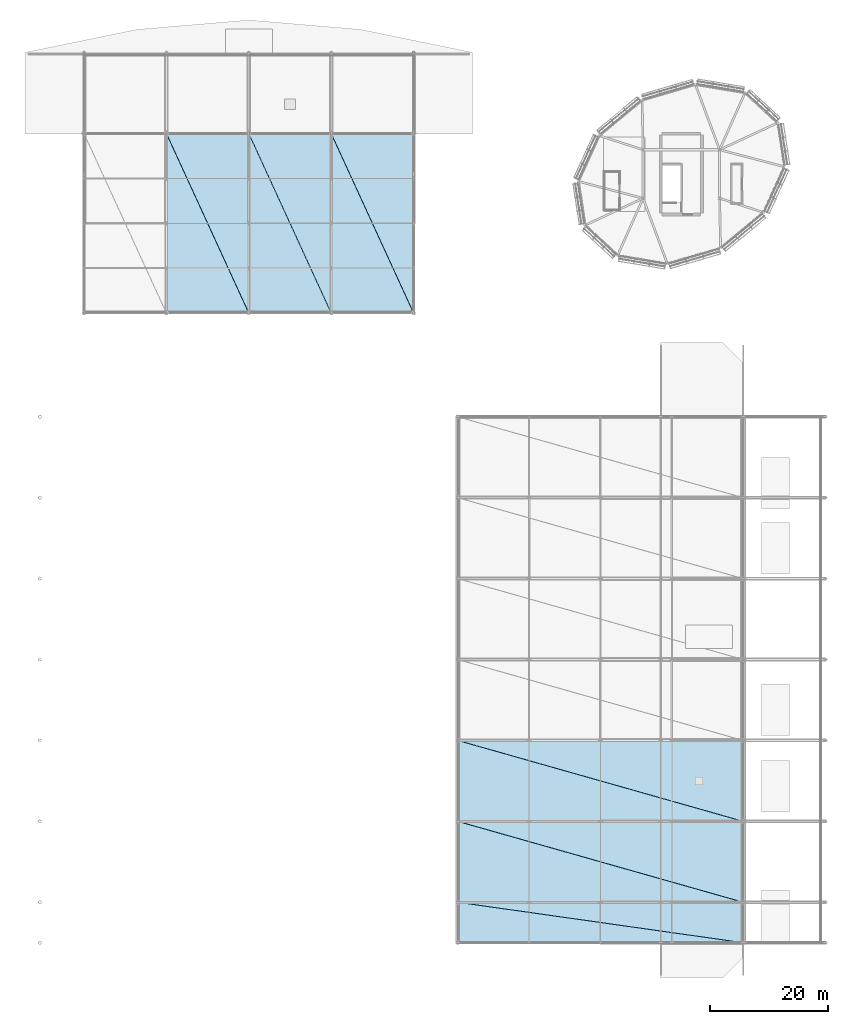
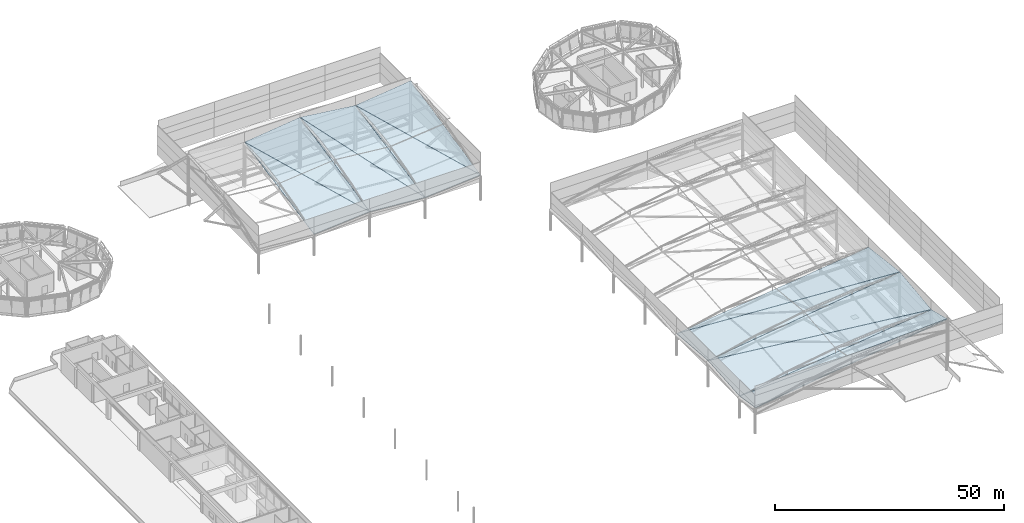
# One storey, part 68 of 113: 12 slabs.
"""IFC4 building model written with IfcOpenShell, lengths in metres."""

import ifcopenshell
import ifcopenshell.guid

model = None  # the IFC model being written
_history = None  # IfcOwnerHistory: only IFC2X3 demands one
_inside = {}  # id of a spatial element -> (the spatial element, [elements in it])
_under = {}  # id of a project, library or spatial element -> (it, [spatial elements below it])
_declared = {}  # id of a project -> (the project, [libraries it declares])
_typed = {}  # id of a type object -> (the type object, [elements of that type])
_made_of = {}  # id of a material, layer set ... -> (it, [elements and type objects made of it])


def new_model(schema):
    """Start an empty IFC model of exactly this schema.

    Asked for "IFC4X3", IfcOpenShell would pick the latest addendum, in which some entities
    have other attributes; the version numbers below select the first issue.
    IFC2X3 requires an IfcOwnerHistory on every rooted entity: one is made here for all.
    """
    global model, _history
    if schema == "IFC4X3":
        model = ifcopenshell.file(schema_version=(4, 3, 0, 0))
    else:
        model = ifcopenshell.file(schema=schema)
    _inside.clear()
    _under.clear()
    _declared.clear()
    _typed.clear()
    _made_of.clear()
    _history = None
    if model.schema == "IFC2X3":
        org = make("IfcOrganization", Name="unknown")
        user = make(
            "IfcPersonAndOrganization",
            ThePerson=make("IfcPerson", FamilyName="unknown"),
            TheOrganization=org,
        )
        app = make(
            "IfcApplication",
            ApplicationDeveloper=org,
            Version="unknown",
            ApplicationFullName="unknown",
            ApplicationIdentifier="unknown",
        )
        _history = make(
            "IfcOwnerHistory",
            OwningUser=user,
            OwningApplication=app,
            ChangeAction="ADDED",
            CreationDate=0,
        )
    return model


def make(cls, **values):
    """One entity of the class cls with the attributes given. An attribute that is None is left unset."""
    return model.create_entity(
        cls, **{name: value for name, value in values.items() if value is not None}
    )


def rooted(cls, **values):
    """An entity with a GlobalId (a new one), such as an element, a storey or a relation."""
    return make(cls, GlobalId=ifcopenshell.guid.new(), OwnerHistory=_history, **values)


def si_unit(unit_type, name, prefix=None):
    """IfcSIUnit, for example si_unit("LENGTHUNIT", "METRE", prefix="MILLI")."""
    return make("IfcSIUnit", UnitType=unit_type, Prefix=prefix, Name=name)


def assignment(units):
    """IfcUnitAssignment: the units of a project."""
    return None if units is None else make("IfcUnitAssignment", Units=units)


def point(xyz):
    """IfcCartesianPoint."""
    return None if xyz is None else make("IfcCartesianPoint", Coordinates=xyz)


def direction(xyz):
    """IfcDirection."""
    return None if xyz is None else make("IfcDirection", DirectionRatios=xyz)


def frame(location, z_axis=None, x_axis=None):
    """IfcAxis2Placement3D, a coordinate frame: its origin and axes. An axis left out is left unset."""
    return make(
        "IfcAxis2Placement3D",
        Location=point(location),
        Axis=direction(z_axis),
        RefDirection=direction(x_axis),
    )


def origin():
    """The frame at (0, 0, 0) with its axes left unset."""
    return frame((0.0, 0.0, 0.0))


def place(relative_to, where):
    """IfcLocalPlacement: puts the frame where relative to a parent placement (None: the world)."""
    return make(
        "IfcLocalPlacement", PlacementRelTo=relative_to, RelativePlacement=where
    )


def context(
    kind, dimensions, precision=None, world=None, true_north=None, identifier=None
):
    """IfcGeometricRepresentationContext, for example the 3D "Model" context."""
    return make(
        "IfcGeometricRepresentationContext",
        ContextIdentifier=identifier,
        ContextType=kind,
        CoordinateSpaceDimension=dimensions,
        Precision=precision,
        WorldCoordinateSystem=world,
        TrueNorth=true_north,
    )


def subcontext(parent, identifier, kind, view, scale=None):
    """IfcGeometricRepresentationSubContext, for example "Body" below "Model"."""
    return make(
        "IfcGeometricRepresentationSubContext",
        ContextIdentifier=identifier,
        ContextType=kind,
        ParentContext=parent,
        TargetScale=scale,
        TargetView=view,
    )


def project(units=None, contexts=None):
    """IfcProject with its units and contexts."""
    return rooted(
        "IfcProject",
        Name="project",
        RepresentationContexts=contexts,
        UnitsInContext=assignment(units),
    )


def spatial(cls, under=None, at=None, **own):
    """A site, building, storey or space (cls), placed at a placement, below another one or the project."""
    s = rooted(cls, ObjectPlacement=at, **own)
    if under is not None:
        _under.setdefault(under.id(), (under, []))[1].append(s)
    return s


def polyline(points):
    """IfcPolyline through the points."""
    return make("IfcPolyline", Points=[point(p) for p in points])


def outline(outer, holes=None, kind="AREA"):
    """IfcArbitraryClosedProfileDef: a profile drawn as a closed curve; with holes, ...WithVoids."""
    if holes is None:
        return make("IfcArbitraryClosedProfileDef", ProfileType=kind, OuterCurve=outer)
    return make(
        "IfcArbitraryProfileDefWithVoids",
        ProfileType=kind,
        OuterCurve=outer,
        InnerCurves=holes,
    )


def extrude(swept, where, along, depth):
    """IfcExtrudedAreaSolid: the profile swept, set in the frame where, extruded along a direction by depth."""
    return make(
        "IfcExtrudedAreaSolid",
        SweptArea=swept,
        Position=where,
        ExtrudedDirection=direction(along),
        Depth=depth,
    )


def shape(context_of_items, identifier, shape_type, items):
    """IfcShapeRepresentation: the items that make up one representation, for example the "Body"."""
    return make(
        "IfcShapeRepresentation",
        ContextOfItems=context_of_items,
        RepresentationIdentifier=identifier,
        RepresentationType=shape_type,
        Items=items,
    )


def material(Name=None, Category=None):
    """IfcMaterial."""
    return make("IfcMaterial", Name=Name, Category=Category)


def layer(
    of_material, thickness, ventilated=None, Name=None, Category=None, Priority=None
):
    """IfcMaterialLayer: one layer of a wall or slab, of a material (None: an air gap)."""
    return make(
        "IfcMaterialLayer",
        Material=of_material,
        LayerThickness=thickness,
        IsVentilated=ventilated,
        Name=Name,
        Category=Category,
        Priority=Priority,
    )


def layer_set(layers, Name=None):
    """IfcMaterialLayerSet."""
    return make("IfcMaterialLayerSet", MaterialLayers=layers, LayerSetName=Name)


def made_of(thing, what):
    """Note that an element or type object is made of a material, layer set ...; save() writes the relation."""
    if what is not None:
        _made_of.setdefault(what.id(), (what, []))[1].append(thing)
    return thing


def type_object(cls, material=None, **own):
    """A type object (cls), such as IfcWallType, which elements share."""
    return made_of(rooted(cls, **own), material)


def element(
    cls,
    number,
    at=None,
    inside=None,
    cuts=None,
    type_object=None,
    material=None,
    context=None,
    identifier="Body",
    shape_type=None,
    held_by="IfcProductDefinitionShape",
    body=None,
    shapes=None,
    **own,
):
    """One element of the class cls, such as IfcWall. Its Tag is "e" and its number.

    at: its placement. inside: the storey or other place that contains it. cuts: it is an
    opening in that element (IfcRelVoidsElement). A single representation is given by context,
    identifier, shape_type and body (its items); several are given by shapes. held_by: the class
    of the entity that holds the representations. save() writes the other relations.
    """
    e = rooted(cls, Tag="e%d" % number, ObjectPlacement=at, **own)
    if body is not None:
        shapes = [shape(context, identifier, shape_type, body)]
    if shapes is not None:
        e.Representation = make(held_by, Representations=shapes)
    if inside is not None:
        _inside.setdefault(inside.id(), (inside, []))[1].append(e)
    if cuts is not None:
        rooted(
            "IfcRelVoidsElement", RelatingBuildingElement=cuts, RelatedOpeningElement=e
        )
    if type_object is not None:
        _typed.setdefault(type_object.id(), (type_object, []))[1].append(e)
    return made_of(e, material)


def aggregate(whole, parts):
    """IfcRelAggregates: a whole, such as a stair, and the parts it consists of."""
    return rooted("IfcRelAggregates", RelatingObject=whole, RelatedObjects=parts)


def save(model, path):
    """Write the relations noted so far, then the file.

    IfcRelAggregates (storeys below a building ...), IfcRelContainedInSpatialStructure (elements
    in a storey), IfcRelDefinesByType, IfcRelAssociatesMaterial and IfcRelDeclares: one each for
    every whole, place, type object, material and project.
    """
    for whole, parts in _under.values():
        aggregate(whole, parts)
    for where, things in _inside.values():
        rooted(
            "IfcRelContainedInSpatialStructure",
            RelatedElements=things,
            RelatingStructure=where,
        )
    for kind, things in _typed.values():
        rooted("IfcRelDefinesByType", RelatedObjects=things, RelatingType=kind)
    for what, things in _made_of.values():
        rooted("IfcRelAssociatesMaterial", RelatedObjects=things, RelatingMaterial=what)
    for by, libraries in _declared.values():
        rooted("IfcRelDeclares", RelatingContext=by, RelatedDefinitions=libraries)
    model.write(path)


model = new_model("IFC4")

# Units and contexts
model_context = context("Model", 3, precision=1e-05, world=origin(), true_north=direction((0.0, 1.0)))
body_context = subcontext(model_context, "Body", "Model", "MODEL_VIEW")
ifc_project = project(units=[si_unit("LENGTHUNIT", "METRE"), si_unit("AREAUNIT", "SQUARE_METRE"), si_unit("VOLUMEUNIT", "CUBIC_METRE"), si_unit("PLANEANGLEUNIT", "RADIAN"), si_unit("MASSUNIT", "GRAM", prefix="KILO")], contexts=[model_context])

# Site, building, storey
site_placement = place(None, origin())
site = spatial("IfcSite", under=ifc_project, at=site_placement, CompositionType="ELEMENT")
building_placement = place(site_placement, origin())
building = spatial("IfcBuilding", under=site, at=building_placement, Name="Linyun Crest Stadium", CompositionType="ELEMENT")
storey_placement = place(building_placement, frame((0.0, 0.0, 26.39990234375)))
storey = spatial("IfcBuildingStorey", under=building, at=storey_placement, Name="L06", CompositionType="ELEMENT", Elevation=26.39990234375)

# Slabs
ifc_material_1 = material(Name="Concrete C40", Category="concrete")
ifc_layer_1 = layer(ifc_material_1, 0.205078125)
ifc_layer_set_1 = layer_set([ifc_layer_1], Name="Concrete C40")
slab_type_1 = type_object("IfcSlabType", Name="RS01", PredefinedType="ROOF", material=ifc_layer_set_1)
slab_1_placement = place(storey_placement, frame((83.951904296875, -45.986083984375, 13.6005859375), z_axis=(-0.12123771368, 0.238274257636, 0.963600952122), x_axis=(-0.000276627093, 0.970753626317, -0.240077738389)))
element("IfcSlab", 1, at=slab_1_placement, inside=storey, type_object=slab_type_1, Name="Wave canopy roof deck RS01 V2 15", PredefinedType="ROOF", context=body_context, shape_type="SweptSolid", body=[
    extrude(outline(polyline([(0.0, 0.0), (7.060497865203402, 0.0), (8.539120734752395, 48.75916709315529), (0.0, 0.0)])), origin(), (0.0, 0.0, -1.0), 0.205078125),
])
slab_2_placement = place(storey_placement, frame((83.95703125, -39.10009765625, 11.906982421875), z_axis=(-0.13577002672, -0.121589352281, 0.98325100013), x_axis=(-0.000371100634, 0.992446795163, 0.12267526668)))
element("IfcSlab", 2, at=slab_2_placement, inside=storey, type_object=slab_type_1, Name="Wave canopy roof deck RS01 V2 17", PredefinedType="ROOF", context=body_context, shape_type="SweptSolid", body=[
    extrude(outline(polyline([(0.0, 0.0), (13.815533192762485, -8.326672684688674e-17), (13.020487610673305, 48.854528291089636), (0.0, 0.0)])), origin(), (0.0, 0.0, -1.0), 0.205078125),
])
slab_3_placement = place(storey_placement, frame((83.95703125, -25.35009765625, 13.6015625), z_axis=(-0.123903217788, 0.121753429256, 0.984796473941), x_axis=(-0.000371097415, 0.992438186889, -0.122744887843)))
element("IfcSlab", 3, at=slab_3_placement, inside=storey, type_object=slab_type_1, Name="Wave canopy roof deck RS01 V2 19", PredefinedType="ROOF", context=body_context, shape_type="SweptSolid", body=[
    extrude(outline(polyline([(0.0, 0.0), (13.815653026822458, 2.7755575615628914e-17), (14.587986164800817, 48.777436168552335), (0.0, 0.0)])), origin(), (0.0, 0.0, -1.0), 0.205078125),
])
slab_4_placement = place(storey_placement, frame((-13.966064453125, 91.462890625, 11.7060546875), z_axis=(-0.117780021286, -0.21297641309, 0.969932427571), x_axis=(0.992722236687, -0.000556156648, 0.120425294175)))
element("IfcSlab", 4, at=slab_4_placement, inside=storey, type_object=slab_type_1, Name="Wave canopy roof deck RS01 V3 31", PredefinedType="ROOF", context=body_context, shape_type="SweptSolid", body=[
    extrude(outline(polyline([(0.0, 0.0), (14.047301293376593, 0.0), (13.270274593124176, -31.120428310701197), (0.0, 0.0)])), origin(), (0.0, 0.0, -1.0), 0.205078125),
])
slab_5_placement = place(storey_placement, frame((0.033935546875, 91.462890625, 13.398681640625), z_axis=(0.118245876644, -0.194803555234, 0.973688598847), x_axis=(0.992693120126, -0.000556140336, -0.120665073496)))
element("IfcSlab", 5, at=slab_5_placement, inside=storey, type_object=slab_type_1, Name="Wave canopy roof deck RS01 V3 33", PredefinedType="ROOF", context=body_context, shape_type="SweptSolid", body=[
    extrude(outline(polyline([(0.0, 0.0), (14.047713313053919, -5.551115123125783e-17), (14.80874328508756, -30.999466663187533), (0.0, 0.0)])), origin(), (0.0, 0.0, -1.0), 0.205078125),
])
slab_6_placement = place(storey_placement, frame((14.033935546875, 91.462890625, 11.7060546875), z_axis=(-0.117780021286, -0.21297641309, 0.969932427571), x_axis=(0.992722236687, -0.000556156648, 0.120425294175)))
element("IfcSlab", 6, at=slab_6_placement, inside=storey, type_object=slab_type_1, Name="Wave canopy roof deck RS01 V3 35", PredefinedType="ROOF", context=body_context, shape_type="SweptSolid", body=[
    extrude(outline(polyline([(0.0, 0.0), (14.047301293376593, 0.0), (13.270274593124176, -31.120428310701197), (0.0, 0.0)])), origin(), (0.0, 0.0, -1.0), 0.205078125),
])
ifc_material_2 = material(Name="Concrete C40", Category="concrete")
ifc_layer_2 = layer(ifc_material_2, 0.215087890625)
ifc_layer_set_2 = layer_set([ifc_layer_2], Name="Concrete C40")
slab_type_2 = type_object("IfcSlabType", Name="RS02", PredefinedType="ROOF", material=ifc_layer_set_2)
slab_7_placement = place(storey_placement, frame((83.949951171875, -45.99609375, 13.6025390625), z_axis=(-0.135086388909, 0.157223707602, 0.978280314276), x_axis=(-0.977789970062, 0.138525259965, -0.157281679791)))
element("IfcSlab", 7, at=slab_7_placement, inside=storey, type_object=slab_type_2, Name="Wave canopy roof deck RS02 V2 16", PredefinedType="ROOF", context=body_context, shape_type="SweptSolid", body=[
    extrude(outline(polyline([(0.0, 0.0), (49.50128038814305, -8.881784197001252e-16), (48.37662396995006, 6.850291904432261), (0.0, 0.0)])), origin(), (0.0, 0.0, -1.0), 0.215087890625),
])
slab_8_placement = place(storey_placement, frame((83.949951171875, -39.117919921875, 11.904296875), z_axis=(-0.124435508682, -0.079488724522, 0.989038597251), x_axis=(-0.957419498037, 0.271322376372, -0.098651268919)))
element("IfcSlab", 8, at=slab_8_placement, inside=storey, type_object=slab_type_2, Name="Wave canopy roof deck RS02 V2 18", PredefinedType="ROOF", context=body_context, shape_type="SweptSolid", body=[
    extrude(outline(polyline([(0.0, 0.0), (50.559846045696915, -2.220446049250313e-16), (46.94343346884189, 13.27143513228775), (0.0, 0.0)])), origin(), (0.0, 0.0, -1.0), 0.215087890625),
])
slab_9_placement = place(storey_placement, frame((83.949951171875, -25.367919921875, 13.602783203125), z_axis=(-0.136354960754, 0.079353671068, 0.98747674381), x_axis=(-0.950793500178, 0.269444639927, -0.152942165652)))
element("IfcSlab", 9, at=slab_9_placement, inside=storey, type_object=slab_type_2, Name="Wave canopy roof deck RS02 V2 20", PredefinedType="ROOF", context=body_context, shape_type="SweptSolid", body=[
    extrude(outline(polyline([(0.0, 0.0), (50.91219324997789, -2.1649348980190553e-15), (47.04428946420669, 13.200433362439872), (0.0, 0.0)])), origin(), (0.0, 0.0, -1.0), 0.215087890625),
])
slab_10_placement = place(storey_placement, frame((-13.989013671875, 91.450927734375, 11.701171875), z_axis=(-0.077148520918, -0.195589264262, 0.977646636278), x_axis=(0.412486197559, -0.898975998267, -0.147300004629)))
element("IfcSlab", 10, at=slab_10_placement, inside=storey, type_object=slab_type_2, Name="Wave canopy roof deck RS02 V3 32", PredefinedType="ROOF", context=body_context, shape_type="SweptSolid", body=[
    extrude(outline(polyline([(0.0, 0.0), (33.83162444605323, -2.220446049250313e-16), (28.23431755408814, -12.819620848452086), (0.0, 0.0)])), origin(), (0.0, 0.0, -1.0), 0.215087890625),
])
slab_11_placement = place(storey_placement, frame((0.010986328125, 91.450927734375, 13.3984375), z_axis=(0.076875112983, -0.21382544332, 0.973842336722), x_axis=(0.406202281753, -0.885280777631, -0.226445691184)))
element("IfcSlab", 11, at=slab_11_placement, inside=storey, type_object=slab_type_2, Name="Wave canopy roof deck RS02 V3 34", PredefinedType="ROOF", context=body_context, shape_type="SweptSolid", body=[
    extrude(outline(polyline([(0.0, 0.0), (34.35499688670778, -4.996003610813204e-16), (28.43389682378714, -12.673640322023411), (0.0, 0.0)])), origin(), (0.0, 0.0, -1.0), 0.215087890625),
])
slab_12_placement = place(storey_placement, frame((14.010986328125, 91.450927734375, 11.701171875), z_axis=(-0.077148520918, -0.195589264262, 0.977646636278), x_axis=(0.412486197559, -0.898975998267, -0.147300004629)))
element("IfcSlab", 12, at=slab_12_placement, inside=storey, type_object=slab_type_2, Name="Wave canopy roof deck RS02 V3 36", PredefinedType="ROOF", context=body_context, shape_type="SweptSolid", body=[
    extrude(outline(polyline([(0.0, 0.0), (33.83162444605323, -2.220446049250313e-16), (28.23431755408814, -12.819620848452086), (0.0, 0.0)])), origin(), (0.0, 0.0, -1.0), 0.215087890625),
])

save(model, "model.ifc")
